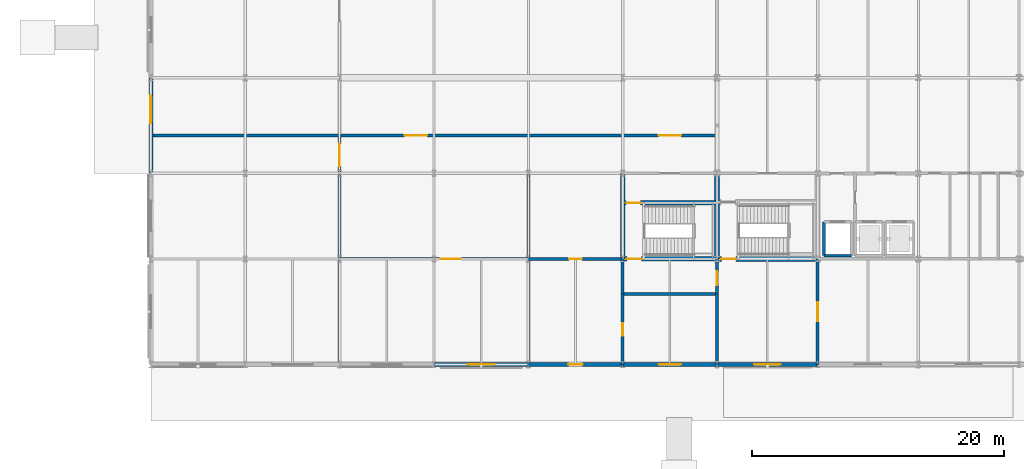
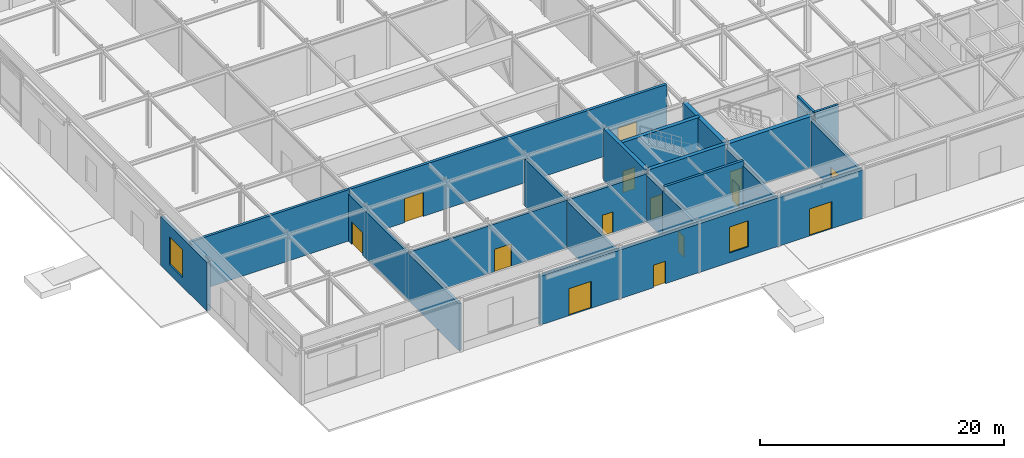
# One storey, part 60 of 89: 24 walls, 14 doors, 2 windows, 16 openings.
"""IFC4 building model written with IfcOpenShell, lengths in metres."""

from ifc_helpers import new_model, si_unit, direction, frame, frame_2d, origin, place, context, subcontext, project, spatial, rectangle, extrude, material, layer, layer_set, type_object, element, fill, save


model = new_model("IFC4")

# Units and contexts
model_context = context("Model", 3, precision=1e-05, world=origin(), true_north=direction((0.0, 1.0)))
body_context = subcontext(model_context, "Body", "Model", "MODEL_VIEW")
ifc_project = project(units=[si_unit("LENGTHUNIT", "METRE"), si_unit("AREAUNIT", "SQUARE_METRE"), si_unit("VOLUMEUNIT", "CUBIC_METRE"), si_unit("PLANEANGLEUNIT", "RADIAN"), si_unit("MASSUNIT", "GRAM", prefix="KILO")], contexts=[model_context])

# Site, building, storey
site_placement = place(None, origin())
site = spatial("IfcSite", under=ifc_project, at=site_placement, CompositionType="ELEMENT")
building_placement = place(site_placement, origin())
building = spatial("IfcBuilding", under=site, at=building_placement, Name="Shalkamar Park Central Library", CompositionType="ELEMENT")
storey_placement = place(building_placement, origin())
storey = spatial("IfcBuildingStorey", under=building, at=storey_placement, Name="L01", CompositionType="ELEMENT", Elevation=0.0)

# Wall, openings, doors
ifc_material_1 = material(Name="Double-stud acoustic masonry wall", Category="masonry")
ifc_layer_1 = layer(ifc_material_1, 0.260009765625)
ifc_layer_set_1 = layer_set([ifc_layer_1], Name="AuditoriumAcousticWall_260")
wall_type_1 = type_object("IfcWallType", Name="Auditorium Acoustic Wall 260", PredefinedType="PARTITIONING", material=ifc_layer_set_1)
wall_1_placement = place(storey_placement, frame((135.0, 258.199951171875, 0.0), z_axis=(0.0, 0.0, 1.0), x_axis=(1.0, 0.0, 0.0)))
wall_1 = element("IfcWall", 1, at=wall_1_placement, inside=storey, type_object=wall_type_1, Name="Interior Partition WL-INT-L01-036", PredefinedType="PARTITIONING", context=body_context, shape_type="SweptSolid", body=[
    extrude(rectangle(XDim=30.0, YDim=0.260009765625, at=frame_2d((15.0, 0.0))), origin(), (0.0, 0.0, 1.0), 5.139892578125),
])
opening_1_placement = place(wall_1_placement, frame((5.159912109375, 0.0, 0.0)))
opening_1 = element("IfcOpeningElement", 2, at=opening_1_placement, cuts=wall_1, Name="Opening DR-L01-027", PredefinedType="OPENING", context=body_context, shape_type="SweptSolid", body=[
    extrude(rectangle(XDim=1.800048828125, YDim=2.39990234375, at=frame_2d((0.89990234375, 1.199951171875))), frame((0.0, 0.14501953125, 0.0), z_axis=(0.0, -1.0, 0.0), x_axis=(1.0, 0.0, 0.0)), (0.0, 0.0, 1.0), 0.289794921875),
])
opening_2_placement = place(wall_1_placement, frame((25.35009765625, 0.0, 0.0)))
opening_2 = element("IfcOpeningElement", 3, at=opening_2_placement, cuts=wall_1, Name="Opening DR-L01-028", PredefinedType="OPENING", context=body_context, shape_type="SweptSolid", body=[
    extrude(rectangle(XDim=1.800048828125, YDim=2.39990234375, at=frame_2d((0.89990234375, 1.199951171875))), frame((0.0, 0.14501953125, 0.0), z_axis=(0.0, -1.0, 0.0), x_axis=(1.0, 0.0, 0.0)), (0.0, 0.0, 1.0), 0.289794921875),
])
ifc_material_2 = material(Name="Steel S355", Category="steel")
door_type_1 = type_object("IfcDoorType", Name="Acoustic Door Double 1800x2400", OperationType="DOUBLE_DOOR_SINGLE_SWING", PredefinedType="DOOR", material=ifc_material_2)
door_1_placement = place(opening_1_placement, frame((1.800048828125, 0.0, 0.0), z_axis=(0.0, 0.0, 1.0), x_axis=(-1.0, 0.0, 0.0)))
door_1 = element("IfcDoor", 4, at=door_1_placement, inside=storey, type_object=door_type_1, Name="Lecture Auditorium South Portal", OperationType="DOUBLE_DOOR_SINGLE_SWING", OverallHeight=2.39990234375, OverallWidth=1.800048828125, PredefinedType="DOOR", context=body_context, shape_type="SweptSolid", body=[
    extrude(rectangle(XDim=1.800048828125, YDim=2.39990234375, at=frame_2d((0.89990234375, 1.199951171875))), frame((0.0, 0.02490234375, 0.0), z_axis=(0.0, -1.0, 0.0), x_axis=(1.0, 0.0, 0.0)), (0.0, 0.0, 1.0), 0.050048828125),
])
fill(opening_1, door_1)
door_type_2 = type_object("IfcDoorType", Name="Interior Door Double 1800x2400", OperationType="DOUBLE_DOOR_SINGLE_SWING", PredefinedType="DOOR", material=ifc_material_2)
door_2_placement = place(opening_2_placement, frame((1.800048828125, 0.0, 0.0), z_axis=(0.0, 0.0, 1.0), x_axis=(-1.0, 0.0, 0.0)))
door_2 = element("IfcDoor", 5, at=door_2_placement, inside=storey, type_object=door_type_2, Name="West Concourse Foyer Door", OperationType="DOUBLE_DOOR_SINGLE_SWING", OverallHeight=2.39990234375, OverallWidth=1.800048828125, PredefinedType="DOOR", context=body_context, shape_type="SweptSolid", body=[
    extrude(rectangle(XDim=1.800048828125, YDim=2.39990234375, at=frame_2d((0.89990234375, 1.199951171875))), frame((0.0, 0.02490234375, 0.0), z_axis=(0.0, -1.0, 0.0), x_axis=(1.0, 0.0, 0.0)), (0.0, 0.0, 1.0), 0.050048828125),
])
fill(opening_2, door_2)

# Wall
ifc_material_3 = material(Name="Reinforced fire-compartment masonry wall", Category="masonry")
ifc_layer_2 = layer(ifc_material_3, 0.239990234375)
ifc_layer_set_2 = layer_set([ifc_layer_2], Name="CompartmentWall_240")
wall_type_2 = type_object("IfcWallType", Name="Compartment Wall 240", PredefinedType="PARTITIONING", material=ifc_layer_set_2)
wall_2_placement = place(storey_placement, frame((150.0, 240.0, 0.0), z_axis=(0.0, 0.0, 1.0), x_axis=(0.0, 1.0, 0.0)))
element("IfcWall", 6, at=wall_2_placement, inside=storey, type_object=wall_type_2, Name="Interior Partition WL-INT-L01-015", PredefinedType="PARTITIONING", context=body_context, shape_type="SweptSolid", body=[
    extrude(rectangle(XDim=15.199951171875, YDim=0.239990234375, at=frame_2d((7.60009765625, 0.0))), origin(), (0.0, 0.0, 1.0), 4.68798828125),
])

# Wall, opening, door
wall_3_placement = place(storey_placement, frame((157.5, 240.0, 0.0), z_axis=(0.0, 0.0, 1.0), x_axis=(0.0, 1.0, 0.0)))
wall_3 = element("IfcWall", 7, at=wall_3_placement, inside=storey, type_object=wall_type_2, Name="Interior Partition WL-INT-L01-016", PredefinedType="PARTITIONING", context=body_context, shape_type="SweptSolid", body=[
    extrude(rectangle(XDim=5.60009765625, YDim=0.239990234375, at=frame_2d((2.800048828125, 0.0))), origin(), (0.0, 0.0, 1.0), 4.68798828125),
])
opening_3_placement = place(wall_3_placement, frame((2.300048828125, 0.0, 0.0)))
opening_3 = element("IfcOpeningElement", 8, at=opening_3_placement, cuts=wall_3, Name="Opening DR-L01-013", PredefinedType="OPENING", context=body_context, shape_type="SweptSolid", body=[
    extrude(rectangle(XDim=1.0, YDim=2.10009765625, at=frame_2d((0.5, 1.050048828125))), frame((0.0, 0.134765625, 0.0), z_axis=(0.0, -1.0, 0.0), x_axis=(1.0, 0.0, 0.0)), (0.0, 0.0, 1.0), 0.269775390625),
])
door_type_3 = type_object("IfcDoorType", Name="Fire Door Single 1000x2100", OperationType="NOTDEFINED", PredefinedType="DOOR", material=ifc_material_2)
door_3_placement = place(opening_3_placement, frame((1.0, 0.0, 0.0), z_axis=(0.0, 0.0, 1.0), x_axis=(-1.0, 0.0, 0.0)))
door_3 = element("IfcDoor", 9, at=door_3_placement, inside=storey, type_object=door_type_3, Name="Security Duty Office Door", OperationType="SINGLE_SWING_LEFT", OverallHeight=2.10009765625, OverallWidth=1.0, PredefinedType="DOOR", context=body_context, shape_type="SweptSolid", body=[
    extrude(rectangle(XDim=1.0, YDim=2.10009765625, at=frame_2d((0.5, 1.050048828125))), frame((0.0, 0.02490234375, 0.0), z_axis=(0.0, -1.0, 0.0), x_axis=(1.0, 0.0, 0.0)), (0.0, 0.0, 1.0), 0.050048828125),
])
fill(opening_3, door_3)

# Wall
wall_4_placement = place(storey_placement, frame((157.5, 245.60009765625, 0.0), z_axis=(0.0, 0.0, 1.0), x_axis=(0.0, 1.0, 0.0)))
element("IfcWall", 10, at=wall_4_placement, inside=storey, type_object=wall_type_2, Name="Interior Partition WL-INT-L01-017", PredefinedType="PARTITIONING", context=body_context, shape_type="SweptSolid", body=[
    extrude(rectangle(XDim=2.7998046875, YDim=0.239990234375, at=frame_2d((1.39990234375, 0.0))), origin(), (0.0, 0.0, 1.0), 4.68798828125),
])

# Wall, opening, door
wall_5_placement = place(storey_placement, frame((150.0, 248.39990234375, 0.0), z_axis=(0.0, 0.0, 1.0), x_axis=(1.0, 0.0, 0.0)))
wall_5 = element("IfcWall", 11, at=wall_5_placement, inside=storey, type_object=wall_type_2, Name="Interior Partition WL-INT-L01-018", PredefinedType="PARTITIONING", context=body_context, shape_type="SweptSolid", body=[
    extrude(rectangle(XDim=7.5, YDim=0.239990234375, at=frame_2d((3.75, 0.0))), origin(), (0.0, 0.0, 1.0), 4.778076171875),
])
opening_4_placement = place(wall_5_placement, frame((3.25, 0.0, 0.0)))
opening_4 = element("IfcOpeningElement", 12, at=opening_4_placement, cuts=wall_5, Name="Opening DR-L01-014", PredefinedType="OPENING", context=body_context, shape_type="SweptSolid", body=[
    extrude(rectangle(XDim=1.0, YDim=2.10009765625, at=frame_2d((0.5, 1.050048828125))), frame((0.0, 0.134765625, 0.0), z_axis=(0.0, -1.0, 0.0), x_axis=(1.0, 0.0, 0.0)), (0.0, 0.0, 1.0), 0.269775390625),
])
door_4_placement = place(opening_4_placement, frame((1.0, 0.0, 0.0), z_axis=(0.0, 0.0, 1.0), x_axis=(-1.0, 0.0, 0.0)))
door_4 = element("IfcDoor", 13, at=door_4_placement, inside=storey, type_object=door_type_3, Name="Fire Command Room Vestibule Door", OperationType="SINGLE_SWING_RIGHT", OverallHeight=2.10009765625, OverallWidth=1.0, PredefinedType="DOOR", context=body_context, shape_type="SweptSolid", body=[
    extrude(rectangle(XDim=1.0, YDim=2.10009765625, at=frame_2d((0.5, 1.050048828125))), frame((0.0, 0.02490234375, 0.0), z_axis=(0.0, -1.0, 0.0), x_axis=(1.0, 0.0, 0.0)), (0.0, 0.0, 1.0), 0.050048828125),
])
fill(opening_4, door_4)

wall_6_placement = place(storey_placement, frame((135.0, 240.0, 0.0), z_axis=(0.0, 0.0, 1.0), x_axis=(0.0, 1.0, 0.0)))
wall_6 = element("IfcWall", 14, at=wall_6_placement, inside=storey, type_object=wall_type_2, Name="Interior Partition WL-INT-L01-019", PredefinedType="PARTITIONING", context=body_context, shape_type="SweptSolid", body=[
    extrude(rectangle(XDim=18.199951171875, YDim=0.239990234375, at=frame_2d((9.10009765625, 0.0))), origin(), (0.0, 0.0, 1.0), 4.68798828125),
])
opening_5_placement = place(wall_6_placement, frame((15.75, 0.0, 0.0)))
opening_5 = element("IfcOpeningElement", 15, at=opening_5_placement, cuts=wall_6, Name="Opening DR-L01-015", PredefinedType="OPENING", context=body_context, shape_type="SweptSolid", body=[
    extrude(rectangle(XDim=1.800048828125, YDim=2.25, at=frame_2d((0.89990234375, 1.125))), frame((0.0, 0.134765625, 0.0), z_axis=(0.0, -1.0, 0.0), x_axis=(1.0, 0.0, 0.0)), (0.0, 0.0, 1.0), 0.269775390625),
])
door_type_4 = type_object("IfcDoorType", Name="Fire Door Double 1800x2250", OperationType="DOUBLE_DOOR_SINGLE_SWING", PredefinedType="DOOR", material=ifc_material_2)
door_5_placement = place(opening_5_placement, origin())
door_5 = element("IfcDoor", 16, at=door_5_placement, inside=storey, type_object=door_type_4, Name="Book Delivery Receiving Airlock Door", OperationType="DOUBLE_DOOR_SINGLE_SWING", OverallHeight=2.25, OverallWidth=1.800048828125, PredefinedType="DOOR", context=body_context, shape_type="SweptSolid", body=[
    extrude(rectangle(XDim=1.800048828125, YDim=2.25, at=frame_2d((0.89990234375, 1.125))), frame((0.0, 0.02490234375, 0.0), z_axis=(0.0, -1.0, 0.0), x_axis=(1.0, 0.0, 0.0)), (0.0, 0.0, 1.0), 0.050048828125),
])
fill(opening_5, door_5)

# Walls
wall_7_placement = place(storey_placement, frame((120.0, 258.199951171875, 0.0), z_axis=(0.0, 0.0, 1.0), x_axis=(1.0, 0.0, 0.0)))
element("IfcWall", 17, at=wall_7_placement, inside=storey, type_object=wall_type_2, Name="Interior Partition WL-INT-L01-020", PredefinedType="PARTITIONING", context=body_context, shape_type="SweptSolid", body=[
    extrude(rectangle(XDim=15.0, YDim=0.239990234375, at=frame_2d((7.5, 0.0))), origin(), (0.0, 0.0, 1.0), 5.139892578125),
])
wall_8_placement = place(storey_placement, frame((157.5, 245.60009765625, 0.0), z_axis=(0.0, 0.0, 1.0), x_axis=(1.0, 0.0, 0.0)))
element("IfcWall", 18, at=wall_8_placement, inside=storey, type_object=wall_type_2, Name="Interior Partition WL-INT-L01-021", PredefinedType="PARTITIONING", context=body_context, shape_type="SweptSolid", body=[
    extrude(rectangle(XDim=7.5, YDim=0.239990234375, at=frame_2d((3.75, 0.0))), origin(), (0.0, 0.0, 1.0), 5.14990234375),
])
wall_9_placement = place(storey_placement, frame((165.0, 240.0, 0.0), z_axis=(0.0, 0.0, 1.0), x_axis=(0.0, 1.0, 0.0)))
element("IfcWall", 19, at=wall_9_placement, inside=storey, type_object=wall_type_2, Name="Interior Partition WL-INT-L01-022", PredefinedType="PARTITIONING", context=body_context, shape_type="SweptSolid", body=[
    extrude(rectangle(XDim=5.60009765625, YDim=0.239990234375, at=frame_2d((2.800048828125, 0.0))), origin(), (0.0, 0.0, 1.0), 4.68798828125),
])

# Wall, opening, door
wall_10_placement = place(storey_placement, frame((165.0, 245.60009765625, 0.0), z_axis=(0.0, 0.0, 1.0), x_axis=(0.0, 1.0, 0.0)))
wall_10 = element("IfcWall", 20, at=wall_10_placement, inside=storey, type_object=wall_type_2, Name="Interior Partition WL-INT-L01-023", PredefinedType="PARTITIONING", context=body_context, shape_type="SweptSolid", body=[
    extrude(rectangle(XDim=2.7998046875, YDim=0.239990234375, at=frame_2d((1.39990234375, 0.0))), origin(), (0.0, 0.0, 1.0), 4.68798828125),
])
opening_6_placement = place(wall_10_placement, frame((0.699951171875, 0.0, 0.0)))
opening_6 = element("IfcOpeningElement", 21, at=opening_6_placement, cuts=wall_10, Name="Opening DR-L01-016", PredefinedType="OPENING", context=body_context, shape_type="SweptSolid", body=[
    extrude(rectangle(XDim=1.10009765625, YDim=2.10009765625, at=frame_2d((0.550048828125, 1.050048828125))), frame((0.0, 0.134765625, 0.0), z_axis=(0.0, -1.0, 0.0), x_axis=(1.0, 0.0, 0.0)), (0.0, 0.0, 1.0), 0.269775390625),
])
door_type_5 = type_object("IfcDoorType", Name="Fire Door Single 1100x2100", OperationType="NOTDEFINED", PredefinedType="DOOR", material=ifc_material_2)
door_6_placement = place(opening_6_placement, frame((1.10009765625, 0.0, 0.0), z_axis=(0.0, 0.0, 1.0), x_axis=(-1.0, 0.0, 0.0)))
door_6 = element("IfcDoor", 22, at=door_6_placement, inside=storey, type_object=door_type_5, Name="Podium P1 Protected Exit Passage Door", OperationType="SINGLE_SWING_RIGHT", OverallHeight=2.10009765625, OverallWidth=1.10009765625, PredefinedType="DOOR", context=body_context, shape_type="SweptSolid", body=[
    extrude(rectangle(XDim=1.10009765625, YDim=2.10009765625, at=frame_2d((0.550048828125, 1.050048828125))), frame((0.0, 0.02490234375, 0.0), z_axis=(0.0, -1.0, 0.0), x_axis=(1.0, 0.0, 0.0)), (0.0, 0.0, 1.0), 0.050048828125),
])
fill(opening_6, door_6)

wall_11_placement = place(storey_placement, frame((173.0, 240.0, 0.0), z_axis=(0.0, 0.0, 1.0), x_axis=(0.0, 1.0, 0.0)))
wall_11 = element("IfcWall", 23, at=wall_11_placement, inside=storey, type_object=wall_type_2, Name="Interior Partition WL-INT-L01-024", PredefinedType="PARTITIONING", context=body_context, shape_type="SweptSolid", body=[
    extrude(rectangle(XDim=8.39990234375, YDim=0.239990234375, at=frame_2d((4.199951171875, 0.0))), origin(), (0.0, 0.0, 1.0), 4.68798828125),
])
opening_7_placement = place(wall_11_placement, frame((3.449951171875, 0.0, 0.0)))
opening_7 = element("IfcOpeningElement", 24, at=opening_7_placement, cuts=wall_11, Name="Opening DR-L01-017", PredefinedType="OPENING", context=body_context, shape_type="SweptSolid", body=[
    extrude(rectangle(XDim=1.5, YDim=2.10009765625, at=frame_2d((0.75, 1.050048828125))), frame((0.0, 0.134765625, 0.0), z_axis=(0.0, -1.0, 0.0), x_axis=(1.0, 0.0, 0.0)), (0.0, 0.0, 1.0), 0.269775390625),
])
door_type_6 = type_object("IfcDoorType", Name="Fire Door Double 1500x2100", OperationType="DOUBLE_DOOR_SINGLE_SWING", PredefinedType="DOOR", material=ifc_material_2)
door_7_placement = place(opening_7_placement, frame((1.5, 0.0, 0.0), z_axis=(0.0, 0.0, 1.0), x_axis=(-1.0, 0.0, 0.0)))
door_7 = element("IfcDoor", 25, at=door_7_placement, inside=storey, type_object=door_type_6, Name="Boulevard Lobby West Fire Door", OperationType="DOUBLE_DOOR_SINGLE_SWING", OverallHeight=2.10009765625, OverallWidth=1.5, PredefinedType="DOOR", context=body_context, shape_type="SweptSolid", body=[
    extrude(rectangle(XDim=1.5, YDim=2.10009765625, at=frame_2d((0.75, 1.050048828125))), frame((0.0, 0.02490234375, 0.0), z_axis=(0.0, -1.0, 0.0), x_axis=(1.0, 0.0, 0.0)), (0.0, 0.0, 1.0), 0.050048828125),
])
fill(opening_7, door_7)

ifc_material_4 = material(Name="Fire-rated corridor partition wall", Category="masonry")
ifc_layer_3 = layer(ifc_material_4, 0.199951171875)
ifc_layer_set_3 = layer_set([ifc_layer_3], Name="CorridorFireWall_200")
wall_type_3 = type_object("IfcWallType", Name="Corridor Fire Wall 200", PredefinedType="PARTITIONING", material=ifc_layer_set_3)
wall_12_placement = place(storey_placement, frame((135.0, 248.39990234375, 0.0), z_axis=(0.0, 0.0, 1.0), x_axis=(1.0, 0.0, 0.0)))
wall_12 = element("IfcWall", 26, at=wall_12_placement, inside=storey, type_object=wall_type_3, Name="Interior Partition WL-INT-L01-030", PredefinedType="PARTITIONING", context=body_context, shape_type="SweptSolid", body=[
    extrude(rectangle(XDim=15.0, YDim=0.199951171875, at=frame_2d((7.5, 0.0))), origin(), (0.0, 0.0, 1.0), 4.778076171875),
])
opening_8_placement = place(wall_12_placement, frame((8.0400390625, 0.0, 0.0)))
opening_8 = element("IfcOpeningElement", 27, at=opening_8_placement, cuts=wall_12, Name="Opening DR-L01-021", PredefinedType="OPENING", context=body_context, shape_type="SweptSolid", body=[
    extrude(rectangle(XDim=1.60009765625, YDim=2.25, at=frame_2d((0.800048828125, 1.125))), frame((0.0, 0.11474609375, 0.0), z_axis=(0.0, -1.0, 0.0), x_axis=(1.0, 0.0, 0.0)), (0.0, 0.0, 1.0), 0.229736328125),
])
door_type_7 = type_object("IfcDoorType", Name="Interior Door Double 1600x2250", OperationType="DOUBLE_DOOR_SINGLE_SWING", PredefinedType="DOOR", material=ifc_material_2)
door_8_placement = place(opening_8_placement, frame((1.60009765625, 0.0, 0.0), z_axis=(0.0, 0.0, 1.0), x_axis=(-1.0, 0.0, 0.0)))
door_8 = element("IfcDoor", 28, at=door_8_placement, inside=storey, type_object=door_type_7, Name="Readers Cafe South Door", OperationType="DOUBLE_DOOR_SINGLE_SWING", OverallHeight=2.25, OverallWidth=1.60009765625, PredefinedType="DOOR", context=body_context, shape_type="SweptSolid", body=[
    extrude(rectangle(XDim=1.60009765625, YDim=2.25, at=frame_2d((0.800048828125, 1.125))), frame((0.0, 0.02490234375, 0.0), z_axis=(0.0, -1.0, 0.0), x_axis=(1.0, 0.0, 0.0)), (0.0, 0.0, 1.0), 0.050048828125),
])
fill(opening_8, door_8)

ifc_material_5 = material(Name="Concrete C35/45 precast", Category="concrete")
ifc_layer_4 = layer(ifc_material_5, 0.320068359375)
ifc_layer_set_4 = layer_set([ifc_layer_4], Name="Concrete C35/45 precast")
wall_type_4 = type_object("IfcWallType", Name="Granite Plinth External Wall 320", PredefinedType="SOLIDWALL", material=ifc_layer_set_4)
wall_13_placement = place(storey_placement, frame((142.506103515625, 240.0, 0.0), z_axis=(0.0, 0.0, 1.0), x_axis=(1.0, 0.0, 0.0)))
wall_13 = element("IfcWall", 29, at=wall_13_placement, inside=storey, type_object=wall_type_4, Name="Exterior Facade Wall WL-EXT-L01-004", PredefinedType="SOLIDWALL", context=body_context, shape_type="SweptSolid", body=[
    extrude(rectangle(XDim=7.48779296875, YDim=0.320068359375, at=frame_2d((3.743896484375, 0.0))), origin(), (0.0, 0.0, 1.0), 4.8779296875),
])
opening_9_placement = place(wall_13_placement, frame((2.694091796875, 0.0, 0.0)))
opening_9 = element("IfcOpeningElement", 30, at=opening_9_placement, cuts=wall_13, Name="Opening ED-L01-002", PredefinedType="OPENING", context=body_context, shape_type="SweptSolid", body=[
    extrude(rectangle(XDim=2.10009765625, YDim=2.699951171875, at=frame_2d((1.050048828125, 1.35009765625))), frame((0.0, 0.1748046875, 0.0), z_axis=(0.0, -1.0, 0.0), x_axis=(1.0, 0.0, 0.0)), (0.0, 0.0, 1.0), 0.349853515625),
])
ifc_material_6 = material(Name="Thermally broken insulated aluminium and glazed door", Category="aluminium")
door_type_8 = type_object("IfcDoorType", Name="Boulevard Entrance Door 2100x2700", OperationType="DOUBLE_DOOR_SINGLE_SWING", PredefinedType="DOOR", material=ifc_material_6)
door_9_placement = place(opening_9_placement, frame((2.10009765625, 0.0, 0.0), z_axis=(0.0, 0.0, 1.0), x_axis=(-1.0, 0.0, 0.0)))
door_9 = element("IfcDoor", 31, at=door_9_placement, inside=storey, type_object=door_type_8, Name="South Boulevard Entrance Portal 04", OperationType="DOUBLE_DOOR_SINGLE_SWING", OverallHeight=2.699951171875, OverallWidth=2.10009765625, PredefinedType="DOOR", context=body_context, shape_type="SweptSolid", body=[
    extrude(rectangle(XDim=2.10009765625, YDim=2.699951171875, at=frame_2d((1.050048828125, 1.35009765625))), frame((0.0, 0.02490234375, 0.0), z_axis=(0.0, -1.0, 0.0), x_axis=(1.0, 0.0, 0.0)), (0.0, 0.0, 1.0), 0.050048828125),
])
fill(opening_9, door_9)

wall_14_placement = place(storey_placement, frame((150.006103515625, 240.0, 0.0), z_axis=(0.0, 0.0, 1.0), x_axis=(1.0, 0.0, 0.0)))
wall_14 = element("IfcWall", 32, at=wall_14_placement, inside=storey, type_object=wall_type_4, Name="Exterior Facade Wall WL-EXT-L01-005", PredefinedType="SOLIDWALL", context=body_context, shape_type="SweptSolid", body=[
    extrude(rectangle(XDim=7.48779296875, YDim=0.320068359375, at=frame_2d((3.743896484375, 0.0))), origin(), (0.0, 0.0, 1.0), 4.8779296875),
])
opening_10_placement = place(wall_14_placement, frame((3.1689453125, 0.0, 0.0)))
opening_10 = element("IfcOpeningElement", 33, at=opening_10_placement, cuts=wall_14, Name="Opening ED-L01-003", PredefinedType="OPENING", context=body_context, shape_type="SweptSolid", body=[
    extrude(rectangle(XDim=1.14990234375, YDim=2.25, at=frame_2d((0.574951171875, 1.125))), frame((0.0, 0.1748046875, 0.0), z_axis=(0.0, -1.0, 0.0), x_axis=(1.0, 0.0, 0.0)), (0.0, 0.0, 1.0), 0.349853515625),
])
door_type_9 = type_object("IfcDoorType", Name="Fire Service Grade Door 1150x2250", OperationType="NOTDEFINED", PredefinedType="DOOR", material=ifc_material_6)
door_10_placement = place(opening_10_placement, frame((1.14990234375, 0.0, 0.0), z_axis=(0.0, 0.0, 1.0), x_axis=(-1.0, 0.0, 0.0)))
door_10 = element("IfcDoor", 34, at=door_10_placement, inside=storey, type_object=door_type_9, Name="Fire Command Room Direct Grade Entrance", OperationType="SINGLE_SWING_LEFT", OverallHeight=2.25, OverallWidth=1.14990234375, PredefinedType="DOOR", context=body_context, shape_type="SweptSolid", body=[
    extrude(rectangle(XDim=1.14990234375, YDim=2.25, at=frame_2d((0.574951171875, 1.125))), frame((0.0, 0.02490234375, 0.0), z_axis=(0.0, -1.0, 0.0), x_axis=(1.0, 0.0, 0.0)), (0.0, 0.0, 1.0), 0.050048828125),
])
fill(opening_10, door_10)

# Wall, opening, window
wall_15_placement = place(storey_placement, frame((157.506103515625, 240.0, 0.0), z_axis=(0.0, 0.0, 1.0), x_axis=(1.0, 0.0, 0.0)))
wall_15 = element("IfcWall", 35, at=wall_15_placement, inside=storey, type_object=wall_type_4, Name="Exterior Facade Wall WL-EXT-L01-006", PredefinedType="SOLIDWALL", context=body_context, shape_type="SweptSolid", body=[
    extrude(rectangle(XDim=7.48779296875, YDim=0.320068359375, at=frame_2d((3.743896484375, 0.0))), origin(), (0.0, 0.0, 1.0), 4.8779296875),
])
opening_11_placement = place(wall_15_placement, frame((2.843994140625, 0.0, 0.949951171875)))
opening_11 = element("IfcOpeningElement", 36, at=opening_11_placement, cuts=wall_15, Name="Opening WN-06", PredefinedType="OPENING", context=body_context, shape_type="SweptSolid", body=[
    extrude(rectangle(XDim=1.800048828125, YDim=2.60009765625, at=frame_2d((0.89990234375, 1.300048828125))), frame((0.0, 0.1748046875, 0.0), z_axis=(0.0, -1.0, 0.0), x_axis=(1.0, 0.0, 0.0)), (0.0, 0.0, 1.0), 0.349853515625),
])
ifc_material_7 = material(Name="Thermally broken aluminium and triple low-e glass", Category="glass")
window_type_1 = type_object("IfcWindowType", Name="Podium Window 1800x2600", PartitioningType="DOUBLE_PANEL_VERTICAL", PredefinedType="WINDOW", material=ifc_material_7)
window_1_placement = place(opening_11_placement, origin())
window_1 = element("IfcWindow", 37, at=window_1_placement, inside=storey, type_object=window_type_1, Name="Facade Window WN-L01-003", OverallHeight=2.60009765625, OverallWidth=1.800048828125, PartitioningType="DOUBLE_PANEL_VERTICAL", PredefinedType="WINDOW", context=body_context, shape_type="SweptSolid", body=[
    extrude(rectangle(XDim=1.800048828125, YDim=2.60009765625, at=frame_2d((0.89990234375, 1.300048828125))), frame((0.0, 0.030029296875, 0.0), z_axis=(0.0, -1.0, 0.0), x_axis=(1.0, 0.0, 0.0)), (0.0, 0.0, 1.0), 0.06005859375),
])
fill(opening_11, window_1)

# Wall, opening, door
wall_16_placement = place(storey_placement, frame((165.006103515625, 240.0, 0.0), z_axis=(0.0, 0.0, 1.0), x_axis=(1.0, 0.0, 0.0)))
wall_16 = element("IfcWall", 38, at=wall_16_placement, inside=storey, type_object=wall_type_4, Name="Exterior Facade Wall WL-EXT-L01-007", PredefinedType="SOLIDWALL", context=body_context, shape_type="SweptSolid", body=[
    extrude(rectangle(XDim=7.98779296875, YDim=0.320068359375, at=frame_2d((3.993896484375, 0.0))), origin(), (0.0, 0.0, 1.0), 4.837890625),
])
opening_12_placement = place(wall_16_placement, frame((2.944091796875, 0.0, 0.0)))
opening_12 = element("IfcOpeningElement", 39, at=opening_12_placement, cuts=wall_16, Name="Opening ED-L01-004", PredefinedType="OPENING", context=body_context, shape_type="SweptSolid", body=[
    extrude(rectangle(XDim=2.10009765625, YDim=2.699951171875, at=frame_2d((1.050048828125, 1.35009765625))), frame((0.0, 0.1748046875, 0.0), z_axis=(0.0, -1.0, 0.0), x_axis=(1.0, 0.0, 0.0)), (0.0, 0.0, 1.0), 0.349853515625),
])
door_11_placement = place(opening_12_placement, frame((2.10009765625, 0.0, 0.0), z_axis=(0.0, 0.0, 1.0), x_axis=(-1.0, 0.0, 0.0)))
door_11 = element("IfcDoor", 40, at=door_11_placement, inside=storey, type_object=door_type_8, Name="South Boulevard Entrance Portal 07", OperationType="DOUBLE_DOOR_SINGLE_SWING", OverallHeight=2.699951171875, OverallWidth=2.10009765625, PredefinedType="DOOR", context=body_context, shape_type="SweptSolid", body=[
    extrude(rectangle(XDim=2.10009765625, YDim=2.699951171875, at=frame_2d((1.050048828125, 1.35009765625))), frame((0.0, 0.02490234375, 0.0), z_axis=(0.0, -1.0, 0.0), x_axis=(1.0, 0.0, 0.0)), (0.0, 0.0, 1.0), 0.050048828125),
])
fill(opening_12, door_11)

# Wall, opening, window
wall_17_placement = place(storey_placement, frame((120.0, 255.2060546875, 0.0), z_axis=(0.0, 0.0, 1.0), x_axis=(0.0, 1.0, 0.0)))
wall_17 = element("IfcWall", 41, at=wall_17_placement, inside=storey, type_object=wall_type_4, Name="Exterior Facade Wall WL-EXT-L01-031", PredefinedType="SOLIDWALL", context=body_context, shape_type="SweptSolid", body=[
    extrude(rectangle(XDim=7.587890625, YDim=0.320068359375, at=frame_2d((3.7939453125, 0.0))), origin(), (0.0, 0.0, 1.0), 4.8779296875),
])
opening_13_placement = place(wall_17_placement, frame((3.966064453125, 0.0, 0.949951171875)))
opening_13 = element("IfcOpeningElement", 42, at=opening_13_placement, cuts=wall_17, Name="Opening WN-04", PredefinedType="OPENING", context=body_context, shape_type="SweptSolid", body=[
    extrude(rectangle(XDim=2.199951171875, YDim=2.800048828125, at=frame_2d((1.10009765625, 1.39990234375))), frame((0.0, 0.1748046875, 0.0), z_axis=(0.0, -1.0, 0.0), x_axis=(1.0, 0.0, 0.0)), (0.0, 0.0, 1.0), 0.349853515625),
])
window_type_2 = type_object("IfcWindowType", Name="Podium Window 2200x2800", PartitioningType="DOUBLE_PANEL_VERTICAL", PredefinedType="WINDOW", material=ifc_material_7)
window_2_placement = place(opening_13_placement, origin())
window_2 = element("IfcWindow", 43, at=window_2_placement, inside=storey, type_object=window_type_2, Name="Facade Window WN-L01-008", OverallHeight=2.800048828125, OverallWidth=2.199951171875, PartitioningType="DOUBLE_PANEL_VERTICAL", PredefinedType="WINDOW", context=body_context, shape_type="SweptSolid", body=[
    extrude(rectangle(XDim=2.199951171875, YDim=2.800048828125, at=frame_2d((1.10009765625, 1.39990234375))), frame((0.0, 0.030029296875, 0.0), z_axis=(0.0, -1.0, 0.0), x_axis=(1.0, 0.0, 0.0)), (0.0, 0.0, 1.0), 0.06005859375),
])
fill(opening_13, window_2)

# Walls
ifc_material_8 = material(Name="Concrete C40/50", Category="concrete")
ifc_layer_5 = layer(ifc_material_8, 0.219970703125)
ifc_layer_set_5 = layer_set([ifc_layer_5], Name="Concrete C40/50")
wall_type_5 = type_object("IfcWallType", Name="Lift Hoistway Shear Wall 220", PredefinedType="SHEAR", material=ifc_layer_set_5)
wall_18_placement = place(storey_placement, frame((173.5, 248.64990234375, 0.0), z_axis=(0.0, 0.0, 1.0), x_axis=(1.0, 0.0, 0.0)))
element("IfcWall", 44, at=wall_18_placement, inside=storey, type_object=wall_type_5, Name="Lift FFL-01 Hoistway South Wall (L01)", PredefinedType="SHEAR", context=body_context, shape_type="SweptSolid", body=[
    extrude(rectangle(XDim=2.199951171875, YDim=0.219970703125, at=frame_2d((1.10009765625, 0.0))), origin(), (0.0, 0.0, 1.0), 5.139892578125),
])
wall_19_placement = place(storey_placement, frame((173.5, 248.64990234375, 0.0), z_axis=(0.0, 0.0, 1.0), x_axis=(0.0, 1.0, 0.0)))
element("IfcWall", 45, at=wall_19_placement, inside=storey, type_object=wall_type_5, Name="Lift FFL-01 Hoistway West Wall (L01)", PredefinedType="SHEAR", context=body_context, shape_type="SweptSolid", body=[
    extrude(rectangle(XDim=2.7001953125, YDim=0.219970703125, at=frame_2d((1.35009765625, 0.0))), origin(), (0.0, 0.0, 1.0), 5.139892578125),
])

# Wall, opening, door
ifc_layer_6 = layer(ifc_material_8, 0.35009765625)
ifc_layer_set_6 = layer_set([ifc_layer_6], Name="Concrete C40/50")
wall_type_6 = type_object("IfcWallType", Name="Podium Core Shear Wall 350", PredefinedType="SHEAR", material=ifc_layer_set_6)
wall_20_placement = place(storey_placement, frame((157.5, 248.39990234375, 0.0), z_axis=(0.0, 0.0, 1.0), x_axis=(1.0, 0.0, 0.0)))
wall_20 = element("IfcWall", 46, at=wall_20_placement, inside=storey, type_object=wall_type_6, Name="CORE-P1 South Shear Wall (L01)", PredefinedType="SHEAR", context=body_context, shape_type="SweptSolid", body=[
    extrude(rectangle(XDim=7.5, YDim=0.35009765625, at=frame_2d((3.75, 0.0))), origin(), (0.0, 0.0, 1.0), 5.139892578125),
])
opening_14_placement = place(wall_20_placement, frame((0.324951171875, 0.0, 0.0)))
opening_14 = element("IfcOpeningElement", 47, at=opening_14_placement, cuts=wall_20, Name="Opening DR-ST-P1-L01-DIS", PredefinedType="OPENING", context=body_context, shape_type="SweptSolid", body=[
    extrude(rectangle(XDim=1.14990234375, YDim=2.14990234375, at=frame_2d((0.574951171875, 1.074951171875))), frame((0.0, 0.18994140625, 0.0), z_axis=(0.0, -1.0, 0.0), x_axis=(1.0, 0.0, 0.0)), (0.0, 0.0, 1.0), 0.3798828125),
])
door_type_10 = type_object("IfcDoorType", Name="Stair Core Exit Door 1150x2150", OperationType="NOTDEFINED", PredefinedType="DOOR", material=ifc_material_2)
door_12_placement = place(opening_14_placement, frame((1.14990234375, 0.0, 0.0), z_axis=(0.0, 0.0, 1.0), x_axis=(-1.0, 0.0, 0.0)))
door_12 = element("IfcDoor", 48, at=door_12_placement, inside=storey, type_object=door_type_10, Name="Protected Stair ST-P1 Grade Discharge Door", OperationType="SINGLE_SWING_RIGHT", OverallHeight=2.14990234375, OverallWidth=1.14990234375, PredefinedType="DOOR", context=body_context, shape_type="SweptSolid", body=[
    extrude(rectangle(XDim=1.14990234375, YDim=2.14990234375, at=frame_2d((0.574951171875, 1.074951171875))), frame((0.0, 0.02490234375, 0.0), z_axis=(0.0, -1.0, 0.0), x_axis=(1.0, 0.0, 0.0)), (0.0, 0.0, 1.0), 0.050048828125),
])
fill(opening_14, door_12)

# Wall
wall_21_placement = place(storey_placement, frame((157.5, 248.39990234375, 0.0), z_axis=(0.0, 0.0, 1.0), x_axis=(0.0, 1.0, 0.0)))
element("IfcWall", 49, at=wall_21_placement, inside=storey, type_object=wall_type_6, Name="CORE-P1 West Shear Wall (L01)", PredefinedType="SHEAR", context=body_context, shape_type="SweptSolid", body=[
    extrude(rectangle(XDim=6.800048828125, YDim=0.35009765625, at=frame_2d((3.39990234375, 0.0))), origin(), (0.0, 0.0, 1.0), 5.139892578125),
])

# Wall, opening, door
wall_22_placement = place(storey_placement, frame((157.5, 252.85009765625, 0.0), z_axis=(0.0, 0.0, 1.0), x_axis=(1.0, 0.0, 0.0)))
wall_22 = element("IfcWall", 50, at=wall_22_placement, inside=storey, type_object=wall_type_6, Name="CORE-P1 Stairwell Wall (L01)", PredefinedType="SHEAR", context=body_context, shape_type="SweptSolid", body=[
    extrude(rectangle(XDim=7.5, YDim=0.35009765625, at=frame_2d((3.75, 0.0))), origin(), (0.0, 0.0, 1.0), 5.139892578125),
])
opening_15_placement = place(wall_22_placement, frame((0.27490234375, 0.0, 0.0)))
opening_15 = element("IfcOpeningElement", 51, at=opening_15_placement, cuts=wall_22, Name="Opening DR-ST-P1-L01-IN", PredefinedType="OPENING", context=body_context, shape_type="SweptSolid", body=[
    extrude(rectangle(XDim=1.14990234375, YDim=2.14990234375, at=frame_2d((0.574951171875, 1.074951171875))), frame((0.0, 0.18994140625, 0.0), z_axis=(0.0, -1.0, 0.0), x_axis=(1.0, 0.0, 0.0)), (0.0, 0.0, 1.0), 0.3798828125),
])
door_13_placement = place(opening_15_placement, origin())
door_13 = element("IfcDoor", 52, at=door_13_placement, inside=storey, type_object=door_type_10, Name="Protected Stair ST-P1 Exit Door (L01)", OperationType="SINGLE_SWING_LEFT", OverallHeight=2.14990234375, OverallWidth=1.14990234375, PredefinedType="DOOR", context=body_context, shape_type="SweptSolid", body=[
    extrude(rectangle(XDim=1.14990234375, YDim=2.14990234375, at=frame_2d((0.574951171875, 1.074951171875))), frame((0.0, 0.02490234375, 0.0), z_axis=(0.0, -1.0, 0.0), x_axis=(1.0, 0.0, 0.0)), (0.0, 0.0, 1.0), 0.050048828125),
])
fill(opening_15, door_13)

ifc_layer_7 = layer(ifc_material_8, 0.39990234375)
ifc_layer_set_7 = layer_set([ifc_layer_7], Name="Concrete C40/50")
wall_type_7 = type_object("IfcWallType", Name="Tower Core Shear Wall 400", PredefinedType="SHEAR", material=ifc_layer_set_7)
wall_23_placement = place(storey_placement, frame((165.0, 248.39990234375, 0.0), z_axis=(0.0, 0.0, 1.0), x_axis=(1.0, 0.0, 0.0)))
wall_23 = element("IfcWall", 53, at=wall_23_placement, inside=storey, type_object=wall_type_7, Name="CORE-T1 South Shear Wall (L01)", PredefinedType="SHEAR", context=body_context, shape_type="SweptSolid", body=[
    extrude(rectangle(XDim=8.0, YDim=0.39990234375, at=frame_2d((4.0, 0.0))), origin(), (0.0, 0.0, 1.0), 5.139892578125),
])
opening_16_placement = place(wall_23_placement, frame((0.35009765625, 0.0, 0.0)))
opening_16 = element("IfcOpeningElement", 54, at=opening_16_placement, cuts=wall_23, Name="Opening DR-ST-T1-L01-DIS", PredefinedType="OPENING", context=body_context, shape_type="SweptSolid", body=[
    extrude(rectangle(XDim=1.14990234375, YDim=2.14990234375, at=frame_2d((0.574951171875, 1.074951171875))), frame((0.0, 0.21484375, 0.0), z_axis=(0.0, -1.0, 0.0), x_axis=(1.0, 0.0, 0.0)), (0.0, 0.0, 1.0), 0.4296875),
])
door_14_placement = place(opening_16_placement, frame((1.14990234375, 0.0, 0.0), z_axis=(0.0, 0.0, 1.0), x_axis=(-1.0, 0.0, 0.0)))
door_14 = element("IfcDoor", 55, at=door_14_placement, inside=storey, type_object=door_type_10, Name="Protected Stair ST-T1 Grade Discharge Door", OperationType="SINGLE_SWING_RIGHT", OverallHeight=2.14990234375, OverallWidth=1.14990234375, PredefinedType="DOOR", context=body_context, shape_type="SweptSolid", body=[
    extrude(rectangle(XDim=1.14990234375, YDim=2.14990234375, at=frame_2d((0.574951171875, 1.074951171875))), frame((0.0, 0.02490234375, 0.0), z_axis=(0.0, -1.0, 0.0), x_axis=(1.0, 0.0, 0.0)), (0.0, 0.0, 1.0), 0.050048828125),
])
fill(opening_16, door_14)

# Wall
wall_24_placement = place(storey_placement, frame((165.0, 248.39990234375, 0.0), z_axis=(0.0, 0.0, 1.0), x_axis=(0.0, 1.0, 0.0)))
element("IfcWall", 56, at=wall_24_placement, inside=storey, type_object=wall_type_7, Name="CORE-T1 West Shear Wall (L01)", PredefinedType="SHEAR", context=body_context, shape_type="SweptSolid", body=[
    extrude(rectangle(XDim=6.800048828125, YDim=0.39990234375, at=frame_2d((3.39990234375, 0.0))), origin(), (0.0, 0.0, 1.0), 5.139892578125),
])

save(model, "model.ifc")
